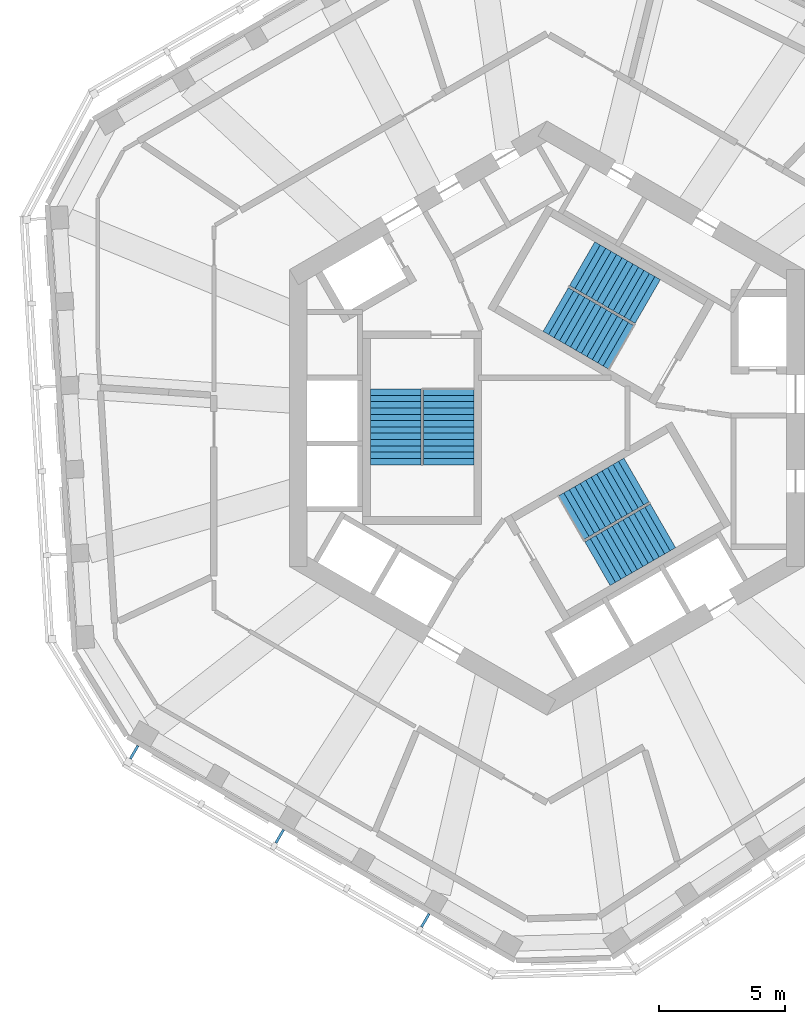
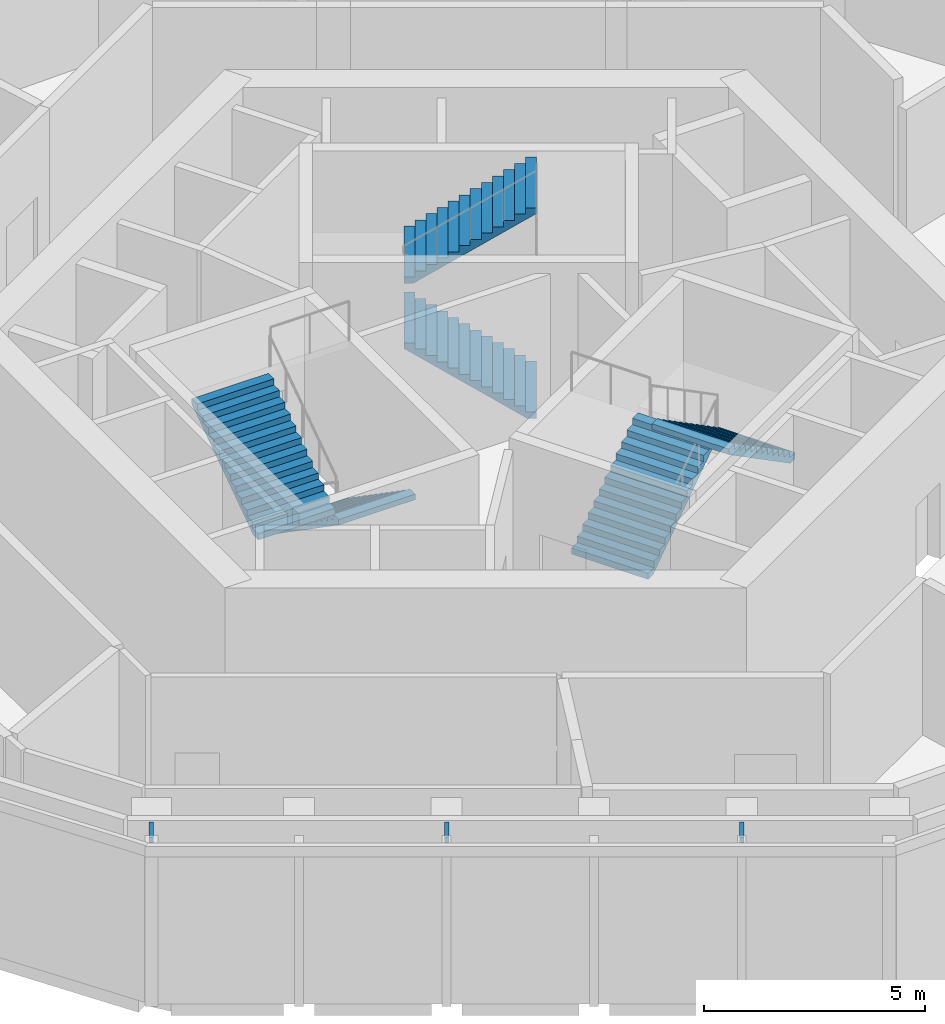
# One storey, part 7 of 9: 6 stair flights, 3 discrete accessories, 3 elements without a shape of their own.
"""IFC4 building model written with IfcOpenShell, lengths in metres."""

from ifc_helpers import new_model, si_unit, direction, frame, origin, origin_2d, place, context, subcontext, project, spatial, rectangle, extrude, triangles, source, transform, mapped, material, type_object, element, aggregate, save


model = new_model("IFC4")

# Units and contexts
model_context = context("Model", 3, precision=1e-05, world=origin(), true_north=direction((0.0, 1.0)))
body_context = subcontext(model_context, "Body", "Model", "MODEL_VIEW")
ifc_project = project(units=[si_unit("LENGTHUNIT", "METRE"), si_unit("AREAUNIT", "SQUARE_METRE"), si_unit("VOLUMEUNIT", "CUBIC_METRE"), si_unit("PLANEANGLEUNIT", "RADIAN"), si_unit("MASSUNIT", "GRAM", prefix="KILO")], contexts=[model_context])

# Site, building, storey
site_placement = place(None, origin())
site = spatial("IfcSite", under=ifc_project, at=site_placement, CompositionType="ELEMENT")
building_placement = place(site_placement, origin())
building = spatial("IfcBuilding", under=site, at=building_placement, Name="Vanh Sen Convention Tower", CompositionType="ELEMENT")
storey_placement = place(building_placement, frame((0.0, 0.0, 300.5)))
storey = spatial("IfcBuildingStorey", under=building, at=storey_placement, Name="L74", CompositionType="ELEMENT", Elevation=300.5)

# Stair, stair flights
ifc_material_1 = material(Name="Concrete C50/60", Category="concrete")
stair_type_1 = type_object("IfcStairType", Name="Exit stair ST1 26 risers at 173.1", PredefinedType="HALF_TURN_STAIR", material=ifc_material_1)
stair_1_placement = place(storey_placement, origin())
stair_1 = element("IfcStair", 1, at=stair_1_placement, inside=storey, type_object=stair_type_1, Name="Exit stair ST1 L74", PredefinedType="HALF_TURN_STAIR")
ifc_material_2 = material(Name="Concrete C40/50", Category="concrete")
stair_flight_type = type_object("IfcStairFlightType", Name="Stair flight 2000", PredefinedType="STRAIGHT", material=ifc_material_2)
shared_shape = source(origin(), body_context, "Body", "Tessellation", [
    triangles([(0.219482421875, 1.0, 0.0), (0.0, 1.0, 0.0), (0.0, 1.0, 0.173095703125), (0.25, 1.0, 0.173095703125), (0.25, 1.0, 0.34619140625), (0.5, 1.0, 0.34619140625), (0.5, 1.0, 0.519287109375), (0.75, 1.0, 0.519287109375), (0.75, 1.0, 0.6923828125), (1.0, 1.0, 0.6923828125), (1.0, 1.0, 0.865478515625), (1.25, 1.0, 0.865478515625), (1.25, 1.0, 1.03857421875), (1.5, 1.0, 1.03857421875), (1.5, 1.0, 1.21142578125), (1.75, 1.0, 1.21142578125), (1.75, 1.0, 1.384521484375), (2.0, 1.0, 1.384521484375), (2.0, 1.0, 1.5576171875), (2.25, 1.0, 1.5576171875), (2.25, 1.0, 1.730712890625), (2.5, 1.0, 1.730712890625), (2.5, 1.0, 1.90380859375), (2.75, 1.0, 1.90380859375), (2.75, 1.0, 2.076904296875), (3.0, 1.0, 2.076904296875), (3.0, 1.0, 1.9248046875), (0.219482421875, -1.0, 0.0), (0.0, -1.0, 0.0), (0.0, -1.0, 0.173095703125), (0.25, -1.0, 0.173095703125), (0.25, -1.0, 0.34619140625), (0.5, -1.0, 0.34619140625), (0.5, -1.0, 0.519287109375), (0.75, -1.0, 0.519287109375), (0.75, -1.0, 0.6923828125), (1.0, -1.0, 0.6923828125), (1.0, -1.0, 0.865478515625), (1.25, -1.0, 0.865478515625), (1.25, -1.0, 1.03857421875), (1.5, -1.0, 1.03857421875), (1.5, -1.0, 1.21142578125), (1.75, -1.0, 1.21142578125), (1.75, -1.0, 1.384521484375), (2.0, -1.0, 1.384521484375), (2.0, -1.0, 1.5576171875), (2.25, -1.0, 1.5576171875), (2.25, -1.0, 1.730712890625), (2.5, -1.0, 1.730712890625), (2.5, -1.0, 1.90380859375), (2.75, -1.0, 1.90380859375), (2.75, -1.0, 2.076904296875), (3.0, -1.0, 2.076904296875), (3.0, -1.0, 1.9248046875), (0.0, 0.0400390625, 0.0), (0.0, 0.0390625, 0.0), (0.0, 0.0380859375, 0.0), (0.0, 0.037109375, 0.0), (0.0, 0.035888671875, 0.0), (0.0, 0.034912109375, 0.0), (0.0, 0.033935546875, 0.0), (0.0, 0.032958984375, 0.0), (0.0, 0.031982421875, 0.0), (0.0, 0.031005859375, 0.0), (0.0, 0.030029296875, 0.0), (0.0, 0.029052734375, 0.0), (0.0, 0.028076171875, 0.0), (0.0, 0.027099609375, 0.0), (0.0, 0.02587890625, 0.0), (0.0, 0.02490234375, 0.0), (0.0, 0.02392578125, 0.0), (0.0, 0.02294921875, 0.0), (0.0, 0.02197265625, 0.0), (0.0, 0.02099609375, 0.0), (0.0, 0.02001953125, 0.0), (0.0, 0.01904296875, 0.0), (0.0, 0.01806640625, 0.0), (0.0, 0.01708984375, 0.0), (0.0, 0.01611328125, 0.0), (0.0, 0.014892578125, 0.0), (0.0, 0.013916015625, 0.0), (0.0, 0.012939453125, 0.0), (0.0, 0.011962890625, 0.0), (0.0, 0.010986328125, 0.0), (0.0, 0.010009765625, 0.0), (0.0, 0.009033203125, 0.0), (0.0, 0.008056640625, 0.0), (0.0, 0.007080078125, 0.0), (0.0, 0.006103515625, 0.0), (0.0, 0.0048828125, 0.0), (0.0, 0.00390625, 0.0), (0.0, 0.0029296875, 0.0), (0.0, 0.001953125, 0.0), (0.0, 0.0009765625, 0.0), (0.0, 0.0, 0.0), (0.0, -0.0009765625, 0.0), (0.0, -0.001953125, 0.0), (0.0, -0.0029296875, 0.0), (0.0, -0.00390625, 0.0), (0.0, -0.0048828125, 0.0), (0.0, -0.006103515625, 0.0), (0.0, -0.007080078125, 0.0), (0.0, -0.008056640625, 0.0), (0.0, -0.009033203125, 0.0), (0.0, -0.010009765625, 0.0), (0.0, -0.010986328125, 0.0), (0.0, -0.011962890625, 0.0), (0.0, -0.012939453125, 0.0), (0.0, -0.013916015625, 0.0), (0.0, -0.014892578125, 0.0), (0.0, -0.01611328125, 0.0), (0.0, -0.01708984375, 0.0), (0.0, -0.01806640625, 0.0), (0.0, -0.01904296875, 0.0), (0.0, -0.02001953125, 0.0), (0.0, -0.02099609375, 0.0), (0.0, -0.02197265625, 0.0), (0.0, -0.02294921875, 0.0), (0.0, -0.02392578125, 0.0), (0.0, -0.02490234375, 0.0), (0.0, -0.02587890625, 0.0), (0.0, -0.027099609375, 0.0), (0.0, -0.028076171875, 0.0), (0.0, -0.029052734375, 0.0), (0.0, -0.030029296875, 0.0), (0.0, -0.031005859375, 0.0), (0.0, -0.031982421875, 0.0), (0.0, -0.032958984375, 0.0), (0.0, -0.033935546875, 0.0), (0.0, -0.034912109375, 0.0), (0.0, -0.035888671875, 0.0), (0.0, -0.037109375, 0.0), (0.0, -0.0380859375, 0.0), (0.0, -0.0390625, 0.0), (0.0, -0.0400390625, 0.0), (0.0, 0.0400390625, 0.173095703125), (0.0, 0.0390625, 0.173095703125), (0.0, 0.0380859375, 0.173095703125), (0.0, 0.037109375, 0.173095703125), (0.0, 0.035888671875, 0.173095703125), (0.0, 0.034912109375, 0.173095703125), (0.0, 0.033935546875, 0.173095703125), (0.0, 0.032958984375, 0.173095703125), (0.0, 0.031982421875, 0.173095703125), (0.0, 0.031005859375, 0.173095703125), (0.0, 0.030029296875, 0.173095703125), (0.0, 0.029052734375, 0.173095703125), (0.0, 0.028076171875, 0.173095703125), (0.0, 0.027099609375, 0.173095703125), (0.0, 0.02587890625, 0.173095703125), (0.0, 0.02490234375, 0.173095703125), (0.0, 0.02392578125, 0.173095703125), (0.0, 0.02294921875, 0.173095703125), (0.0, 0.02197265625, 0.173095703125), (0.0, 0.02099609375, 0.173095703125), (0.0, 0.02001953125, 0.173095703125), (0.0, 0.01904296875, 0.173095703125), (0.0, 0.01806640625, 0.173095703125), (0.0, 0.01708984375, 0.173095703125), (0.0, 0.01611328125, 0.173095703125), (0.0, 0.014892578125, 0.173095703125), (0.0, 0.013916015625, 0.173095703125), (0.0, 0.012939453125, 0.173095703125), (0.0, 0.011962890625, 0.173095703125), (0.0, 0.010986328125, 0.173095703125), (0.0, 0.010009765625, 0.173095703125), (0.0, 0.009033203125, 0.173095703125), (0.0, 0.008056640625, 0.173095703125), (0.0, 0.007080078125, 0.173095703125), (0.0, 0.006103515625, 0.173095703125), (0.0, 0.0048828125, 0.173095703125), (0.0, 0.00390625, 0.173095703125), (0.0, 0.0029296875, 0.173095703125), (0.0, 0.001953125, 0.173095703125), (0.0, 0.0009765625, 0.173095703125), (0.0, 0.0, 0.173095703125), (0.0, -0.0009765625, 0.173095703125), (0.0, -0.001953125, 0.173095703125), (0.0, -0.0029296875, 0.173095703125), (0.0, -0.00390625, 0.173095703125), (0.0, -0.0048828125, 0.173095703125), (0.0, -0.006103515625, 0.173095703125), (0.0, -0.007080078125, 0.173095703125), (0.0, -0.008056640625, 0.173095703125), (0.0, -0.009033203125, 0.173095703125), (0.0, -0.010009765625, 0.173095703125), (0.0, -0.010986328125, 0.173095703125), (0.0, -0.011962890625, 0.173095703125), (0.0, -0.012939453125, 0.173095703125), (0.0, -0.013916015625, 0.173095703125), (0.0, -0.014892578125, 0.173095703125), (0.0, -0.01611328125, 0.173095703125), (0.0, -0.01708984375, 0.173095703125), (0.0, -0.01806640625, 0.173095703125), (0.0, -0.01904296875, 0.173095703125), (0.0, -0.02001953125, 0.173095703125), (0.0, -0.02099609375, 0.173095703125), (0.0, -0.02197265625, 0.173095703125), (0.0, -0.02294921875, 0.173095703125), (0.0, -0.02392578125, 0.173095703125), (0.0, -0.02490234375, 0.173095703125), (0.0, -0.02587890625, 0.173095703125), (0.0, -0.027099609375, 0.173095703125), (0.0, -0.028076171875, 0.173095703125), (0.0, -0.029052734375, 0.173095703125), (0.0, -0.030029296875, 0.173095703125), (0.0, -0.031005859375, 0.173095703125), (0.0, -0.031982421875, 0.173095703125), (0.0, -0.032958984375, 0.173095703125), (0.0, -0.033935546875, 0.173095703125), (0.0, -0.034912109375, 0.173095703125), (0.0, -0.035888671875, 0.173095703125), (0.0, -0.037109375, 0.173095703125), (0.0, -0.0380859375, 0.173095703125), (0.0, -0.0390625, 0.173095703125), (0.0, -0.0400390625, 0.173095703125), (0.25, 0.0, 0.173095703125), (0.25, 0.0, 0.34619140625), (0.5, 0.0, 0.34619140625), (0.5, 0.0, 0.519287109375), (0.75, 0.0, 0.519287109375), (0.75, 0.0, 0.6923828125), (1.0, 0.0, 0.6923828125), (1.0, 0.0, 0.865478515625), (1.25, 0.0, 0.865478515625), (1.25, 0.0, 1.03857421875), (1.5, 0.0, 1.03857421875), (1.5, 0.0, 1.21142578125), (1.75, 0.0, 1.21142578125), (1.75, 0.0, 1.384521484375), (2.0, 0.0, 1.384521484375), (2.0, 0.0, 1.5576171875), (2.25, 0.0, 1.5576171875), (2.25, 0.0, 1.730712890625), (2.5, 0.0, 1.730712890625), (2.5, 0.0, 1.90380859375), (2.75, 0.0, 1.90380859375), (2.75, 0.0, 2.076904296875), (3.0, 0.0400390625, 2.076904296875), (3.0, 0.0390625, 2.076904296875), (3.0, 0.0380859375, 2.076904296875), (3.0, 0.037109375, 2.076904296875), (3.0, 0.035888671875, 2.076904296875), (3.0, 0.034912109375, 2.076904296875), (3.0, 0.033935546875, 2.076904296875), (3.0, 0.032958984375, 2.076904296875), (3.0, 0.031982421875, 2.076904296875), (3.0, 0.031005859375, 2.076904296875), (3.0, 0.030029296875, 2.076904296875), (3.0, 0.029052734375, 2.076904296875), (3.0, 0.028076171875, 2.076904296875), (3.0, 0.027099609375, 2.076904296875), (3.0, 0.02587890625, 2.076904296875), (3.0, 0.02490234375, 2.076904296875), (3.0, 0.02392578125, 2.076904296875), (3.0, 0.02294921875, 2.076904296875), (3.0, 0.02197265625, 2.076904296875), (3.0, 0.02099609375, 2.076904296875), (3.0, 0.02001953125, 2.076904296875), (3.0, 0.01904296875, 2.076904296875), (3.0, 0.01806640625, 2.076904296875), (3.0, 0.01708984375, 2.076904296875), (3.0, 0.01611328125, 2.076904296875), (3.0, 0.014892578125, 2.076904296875), (3.0, 0.013916015625, 2.076904296875), (3.0, 0.012939453125, 2.076904296875), (3.0, 0.011962890625, 2.076904296875), (3.0, 0.010986328125, 2.076904296875), (3.0, 0.010009765625, 2.076904296875), (3.0, 0.009033203125, 2.076904296875), (3.0, 0.008056640625, 2.076904296875), (3.0, 0.007080078125, 2.076904296875), (3.0, 0.006103515625, 2.076904296875), (3.0, 0.0048828125, 2.076904296875), (3.0, 0.00390625, 2.076904296875), (3.0, 0.0029296875, 2.076904296875), (3.0, 0.001953125, 2.076904296875), (3.0, 0.0009765625, 2.076904296875), (3.0, 0.0, 2.076904296875), (3.0, -0.0009765625, 2.076904296875), (3.0, -0.001953125, 2.076904296875), (3.0, -0.0029296875, 2.076904296875), (3.0, -0.00390625, 2.076904296875), (3.0, -0.0048828125, 2.076904296875), (3.0, -0.006103515625, 2.076904296875), (3.0, -0.007080078125, 2.076904296875), (3.0, -0.008056640625, 2.076904296875), (3.0, -0.009033203125, 2.076904296875), (3.0, -0.010009765625, 2.076904296875), (3.0, -0.010986328125, 2.076904296875), (3.0, -0.011962890625, 2.076904296875), (3.0, -0.012939453125, 2.076904296875), (3.0, -0.013916015625, 2.076904296875), (3.0, -0.014892578125, 2.076904296875), (3.0, -0.01611328125, 2.076904296875), (3.0, -0.01708984375, 2.076904296875), (3.0, -0.01806640625, 2.076904296875), (3.0, -0.01904296875, 2.076904296875), (3.0, -0.02001953125, 2.076904296875), (3.0, -0.02099609375, 2.076904296875), (3.0, -0.02197265625, 2.076904296875), (3.0, -0.02294921875, 2.076904296875), (3.0, -0.02392578125, 2.076904296875), (3.0, -0.02490234375, 2.076904296875), (3.0, -0.02587890625, 2.076904296875), (3.0, -0.027099609375, 2.076904296875), (3.0, -0.028076171875, 2.076904296875), (3.0, -0.029052734375, 2.076904296875), (3.0, -0.030029296875, 2.076904296875), (3.0, -0.031005859375, 2.076904296875), (3.0, -0.031982421875, 2.076904296875), (3.0, -0.032958984375, 2.076904296875), (3.0, -0.033935546875, 2.076904296875), (3.0, -0.034912109375, 2.076904296875), (3.0, -0.035888671875, 2.076904296875), (3.0, -0.037109375, 2.076904296875), (3.0, -0.0380859375, 2.076904296875), (3.0, -0.0390625, 2.076904296875), (3.0, -0.0400390625, 2.076904296875), (3.0, 0.0400390625, 1.9248046875), (3.0, 0.0390625, 1.9248046875), (3.0, 0.0380859375, 1.9248046875), (3.0, 0.037109375, 1.9248046875), (3.0, 0.035888671875, 1.9248046875), (3.0, 0.034912109375, 1.9248046875), (3.0, 0.033935546875, 1.9248046875), (3.0, 0.032958984375, 1.9248046875), (3.0, 0.031982421875, 1.9248046875), (3.0, 0.031005859375, 1.9248046875), (3.0, 0.030029296875, 1.9248046875), (3.0, 0.029052734375, 1.9248046875), (3.0, 0.028076171875, 1.9248046875), (3.0, 0.027099609375, 1.9248046875), (3.0, 0.02587890625, 1.9248046875), (3.0, 0.02490234375, 1.9248046875), (3.0, 0.02392578125, 1.9248046875), (3.0, 0.02294921875, 1.9248046875), (3.0, 0.02197265625, 1.9248046875), (3.0, 0.02099609375, 1.9248046875), (3.0, 0.02001953125, 1.9248046875), (3.0, 0.01904296875, 1.9248046875), (3.0, 0.01806640625, 1.9248046875), (3.0, 0.01708984375, 1.9248046875), (3.0, 0.01611328125, 1.9248046875), (3.0, 0.014892578125, 1.9248046875), (3.0, 0.013916015625, 1.9248046875), (3.0, 0.012939453125, 1.9248046875), (3.0, 0.011962890625, 1.9248046875), (3.0, 0.010986328125, 1.9248046875), (3.0, 0.010009765625, 1.9248046875), (3.0, 0.009033203125, 1.9248046875), (3.0, 0.008056640625, 1.9248046875), (3.0, 0.007080078125, 1.9248046875), (3.0, 0.006103515625, 1.9248046875), (3.0, 0.0048828125, 1.9248046875), (3.0, 0.00390625, 1.9248046875), (3.0, 0.0029296875, 1.9248046875), (3.0, 0.001953125, 1.9248046875), (3.0, 0.0009765625, 1.9248046875), (3.0, 0.0, 1.9248046875), (3.0, -0.0009765625, 1.9248046875), (3.0, -0.001953125, 1.9248046875), (3.0, -0.0029296875, 1.9248046875), (3.0, -0.00390625, 1.9248046875), (3.0, -0.0048828125, 1.9248046875), (3.0, -0.006103515625, 1.9248046875), (3.0, -0.007080078125, 1.9248046875), (3.0, -0.008056640625, 1.9248046875), (3.0, -0.009033203125, 1.9248046875), (3.0, -0.010009765625, 1.9248046875), (3.0, -0.010986328125, 1.9248046875), (3.0, -0.011962890625, 1.9248046875), (3.0, -0.012939453125, 1.9248046875), (3.0, -0.013916015625, 1.9248046875), (3.0, -0.014892578125, 1.9248046875), (3.0, -0.01611328125, 1.9248046875), (3.0, -0.01708984375, 1.9248046875), (3.0, -0.01806640625, 1.9248046875), (3.0, -0.01904296875, 1.9248046875), (3.0, -0.02001953125, 1.9248046875), (3.0, -0.02099609375, 1.9248046875), (3.0, -0.02197265625, 1.9248046875), (3.0, -0.02294921875, 1.9248046875), (3.0, -0.02392578125, 1.9248046875), (3.0, -0.02490234375, 1.9248046875), (3.0, -0.02587890625, 1.9248046875), (3.0, -0.027099609375, 1.9248046875), (3.0, -0.028076171875, 1.9248046875), (3.0, -0.029052734375, 1.9248046875), (3.0, -0.030029296875, 1.9248046875), (3.0, -0.031005859375, 1.9248046875), (3.0, -0.031982421875, 1.9248046875), (3.0, -0.032958984375, 1.9248046875), (3.0, -0.033935546875, 1.9248046875), (3.0, -0.034912109375, 1.9248046875), (3.0, -0.035888671875, 1.9248046875), (3.0, -0.037109375, 1.9248046875), (3.0, -0.0380859375, 1.9248046875), (3.0, -0.0390625, 1.9248046875), (3.0, -0.0400390625, 1.9248046875), (0.219482421875, 0.0, 0.0)], [[1, 2, 3], [1, 3, 4], [4, 5, 6], [1, 4, 6], [6, 7, 8], [1, 6, 8], [8, 9, 10], [1, 8, 10], [10, 11, 12], [1, 10, 12], [12, 13, 14], [1, 12, 14], [14, 15, 16], [1, 14, 16], [16, 17, 18], [1, 16, 18], [18, 19, 20], [1, 18, 20], [20, 21, 22], [1, 20, 22], [22, 23, 24], [1, 22, 24], [24, 25, 26], [1, 24, 26], [26, 27, 1], [28, 30, 29], [28, 31, 30], [31, 33, 32], [28, 33, 31], [33, 35, 34], [28, 35, 33], [35, 37, 36], [28, 37, 35], [37, 39, 38], [28, 39, 37], [39, 41, 40], [28, 41, 39], [41, 43, 42], [28, 43, 41], [43, 45, 44], [28, 45, 43], [45, 47, 46], [28, 47, 45], [47, 49, 48], [28, 49, 47], [49, 51, 50], [28, 51, 49], [51, 53, 52], [28, 53, 51], [53, 28, 54], [2, 136, 3], [2, 55, 136], [55, 137, 136], [55, 56, 137], [56, 138, 137], [56, 57, 138], [57, 139, 138], [57, 58, 139], [58, 140, 139], [58, 59, 140], [59, 141, 140], [59, 60, 141], [60, 142, 141], [60, 61, 142], [61, 143, 142], [61, 62, 143], [62, 144, 143], [62, 63, 144], [63, 145, 144], [63, 64, 145], [64, 146, 145], [64, 65, 146], [65, 147, 146], [65, 66, 147], [66, 148, 147], [66, 67, 148], [67, 149, 148], [67, 68, 149], [68, 150, 149], [68, 69, 150], [69, 151, 150], [69, 70, 151], [70, 152, 151], [70, 71, 152], [71, 153, 152], [71, 72, 153], [72, 154, 153], [72, 73, 154], [73, 155, 154], [73, 74, 155], [74, 156, 155], [74, 75, 156], [75, 157, 156], [75, 76, 157], [76, 158, 157], [76, 77, 158], [77, 159, 158], [77, 78, 159], [78, 160, 159], [78, 79, 160], [79, 161, 160], [79, 80, 161], [80, 162, 161], [80, 81, 162], [81, 163, 162], [81, 82, 163], [82, 164, 163], [82, 83, 164], [83, 165, 164], [83, 84, 165], [84, 166, 165], [84, 85, 166], [85, 167, 166], [85, 86, 167], [86, 168, 167], [86, 87, 168], [87, 169, 168], [87, 88, 169], [88, 170, 169], [88, 89, 170], [89, 171, 170], [89, 90, 171], [90, 172, 171], [90, 91, 172], [91, 173, 172], [91, 92, 173], [92, 174, 173], [92, 93, 174], [93, 175, 174], [93, 94, 175], [94, 176, 175], [94, 95, 176], [95, 96, 176], [176, 96, 177], [96, 97, 177], [177, 97, 178], [97, 98, 178], [178, 98, 179], [98, 99, 179], [179, 99, 180], [99, 100, 180], [180, 100, 181], [100, 101, 181], [181, 101, 182], [101, 102, 182], [182, 102, 183], [102, 103, 183], [183, 103, 184], [103, 104, 184], [184, 104, 185], [104, 105, 185], [185, 105, 186], [105, 106, 186], [186, 106, 187], [106, 107, 187], [187, 107, 188], [107, 108, 188], [188, 108, 189], [108, 109, 189], [189, 109, 190], [109, 110, 190], [190, 110, 191], [110, 111, 191], [191, 111, 192], [111, 112, 192], [192, 112, 193], [112, 113, 193], [193, 113, 194], [113, 114, 194], [194, 114, 195], [114, 115, 195], [195, 115, 196], [115, 116, 196], [196, 116, 197], [116, 117, 197], [197, 117, 198], [117, 118, 198], [198, 118, 199], [118, 119, 199], [199, 119, 200], [119, 120, 200], [200, 120, 201], [120, 121, 201], [201, 121, 202], [121, 122, 202], [202, 122, 203], [122, 123, 203], [203, 123, 204], [123, 124, 204], [204, 124, 205], [124, 125, 205], [205, 125, 206], [125, 126, 206], [206, 126, 207], [126, 127, 207], [207, 127, 208], [127, 128, 208], [208, 128, 209], [128, 129, 209], [209, 129, 210], [129, 130, 210], [210, 130, 211], [130, 131, 211], [211, 131, 212], [131, 132, 212], [212, 132, 213], [132, 133, 213], [213, 133, 214], [133, 134, 214], [214, 134, 215], [134, 135, 215], [215, 135, 216], [135, 29, 216], [216, 29, 30], [4, 3, 136], [4, 136, 137], [4, 137, 138], [4, 138, 139], [4, 139, 140], [4, 140, 141], [4, 141, 142], [4, 142, 143], [4, 143, 144], [4, 144, 145], [4, 145, 146], [4, 146, 147], [4, 147, 148], [4, 148, 149], [4, 149, 150], [4, 150, 151], [4, 151, 152], [4, 152, 153], [4, 153, 154], [4, 154, 155], [4, 155, 156], [4, 156, 157], [4, 157, 158], [4, 158, 159], [4, 159, 160], [4, 160, 161], [4, 161, 162], [4, 162, 163], [4, 163, 164], [4, 164, 165], [4, 165, 166], [4, 166, 167], [4, 167, 168], [4, 168, 169], [4, 169, 170], [4, 170, 171], [4, 171, 172], [4, 172, 173], [4, 173, 174], [4, 174, 175], [4, 175, 176], [31, 176, 177], [31, 177, 178], [31, 178, 179], [31, 179, 180], [31, 180, 181], [31, 181, 182], [31, 182, 183], [31, 183, 184], [31, 184, 185], [31, 185, 186], [31, 186, 187], [31, 187, 188], [31, 188, 189], [31, 189, 190], [31, 190, 191], [31, 191, 192], [31, 192, 193], [31, 193, 194], [31, 194, 195], [31, 195, 196], [31, 196, 197], [31, 197, 198], [31, 198, 199], [31, 199, 200], [31, 200, 201], [31, 201, 202], [31, 202, 203], [31, 203, 204], [31, 204, 205], [31, 205, 206], [31, 206, 207], [31, 207, 208], [31, 208, 209], [31, 209, 210], [31, 210, 211], [31, 211, 212], [31, 212, 213], [31, 213, 214], [31, 214, 215], [31, 215, 216], [31, 216, 30], [4, 176, 217], [31, 217, 176], [4, 218, 5], [4, 217, 218], [217, 31, 218], [218, 31, 32], [5, 219, 6], [5, 218, 219], [218, 32, 219], [219, 32, 33], [6, 220, 7], [6, 219, 220], [219, 33, 220], [220, 33, 34], [7, 221, 8], [7, 220, 221], [220, 34, 221], [221, 34, 35], [8, 222, 9], [8, 221, 222], [221, 35, 222], [222, 35, 36], [9, 223, 10], [9, 222, 223], [222, 36, 223], [223, 36, 37], [10, 224, 11], [10, 223, 224], [223, 37, 224], [224, 37, 38], [11, 225, 12], [11, 224, 225], [224, 38, 225], [225, 38, 39], [12, 226, 13], [12, 225, 226], [225, 39, 226], [226, 39, 40], [13, 227, 14], [13, 226, 227], [226, 40, 227], [227, 40, 41], [14, 228, 15], [14, 227, 228], [227, 41, 228], [228, 41, 42], [15, 229, 16], [15, 228, 229], [228, 42, 229], [229, 42, 43], [16, 230, 17], [16, 229, 230], [229, 43, 230], [230, 43, 44], [17, 231, 18], [17, 230, 231], [230, 44, 231], [231, 44, 45], [18, 232, 19], [18, 231, 232], [231, 45, 232], [232, 45, 46], [19, 233, 20], [19, 232, 233], [232, 46, 233], [233, 46, 47], [20, 234, 21], [20, 233, 234], [233, 47, 234], [234, 47, 48], [21, 235, 22], [21, 234, 235], [234, 48, 235], [235, 48, 49], [22, 236, 23], [22, 235, 236], [235, 49, 236], [236, 49, 50], [23, 237, 24], [23, 236, 237], [236, 50, 237], [237, 50, 51], [24, 238, 25], [24, 237, 238], [237, 51, 238], [238, 51, 52], [25, 239, 26], [25, 240, 239], [25, 241, 240], [25, 242, 241], [25, 243, 242], [25, 244, 243], [25, 245, 244], [25, 246, 245], [25, 247, 246], [25, 248, 247], [25, 249, 248], [25, 250, 249], [25, 251, 250], [25, 252, 251], [25, 253, 252], [25, 254, 253], [25, 255, 254], [25, 256, 255], [25, 257, 256], [25, 258, 257], [25, 259, 258], [25, 260, 259], [25, 261, 260], [25, 262, 261], [25, 263, 262], [25, 264, 263], [25, 265, 264], [25, 266, 265], [25, 267, 266], [25, 268, 267], [25, 269, 268], [25, 270, 269], [25, 271, 270], [25, 272, 271], [25, 273, 272], [25, 274, 273], [25, 275, 274], [25, 276, 275], [25, 277, 276], [25, 278, 277], [25, 279, 278], [52, 280, 279], [52, 281, 280], [52, 282, 281], [52, 283, 282], [52, 284, 283], [52, 285, 284], [52, 286, 285], [52, 287, 286], [52, 288, 287], [52, 289, 288], [52, 290, 289], [52, 291, 290], [52, 292, 291], [52, 293, 292], [52, 294, 293], [52, 295, 294], [52, 296, 295], [52, 297, 296], [52, 298, 297], [52, 299, 298], [52, 300, 299], [52, 301, 300], [52, 302, 301], [52, 303, 302], [52, 304, 303], [52, 305, 304], [52, 306, 305], [52, 307, 306], [52, 308, 307], [52, 309, 308], [52, 310, 309], [52, 311, 310], [52, 312, 311], [52, 313, 312], [52, 314, 313], [52, 315, 314], [52, 316, 315], [52, 317, 316], [52, 318, 317], [52, 319, 318], [52, 53, 319], [25, 238, 279], [52, 279, 238], [26, 320, 27], [26, 239, 320], [239, 321, 320], [239, 240, 321], [240, 322, 321], [240, 241, 322], [241, 323, 322], [241, 242, 323], [242, 324, 323], [242, 243, 324], [243, 325, 324], [243, 244, 325], [244, 326, 325], [244, 245, 326], [245, 327, 326], [245, 246, 327], [246, 328, 327], [246, 247, 328], [247, 329, 328], [247, 248, 329], [248, 330, 329], [248, 249, 330], [249, 331, 330], [249, 250, 331], [250, 332, 331], [250, 251, 332], [251, 333, 332], [251, 252, 333], [252, 334, 333], [252, 253, 334], [253, 335, 334], [253, 254, 335], [254, 336, 335], [254, 255, 336], [255, 337, 336], [255, 256, 337], [256, 338, 337], [256, 257, 338], [257, 339, 338], [257, 258, 339], [258, 340, 339], [258, 259, 340], [259, 341, 340], [259, 260, 341], [260, 342, 341], [260, 261, 342], [261, 343, 342], [261, 262, 343], [262, 344, 343], [262, 263, 344], [263, 345, 344], [263, 264, 345], [264, 346, 345], [264, 265, 346], [265, 347, 346], [265, 266, 347], [266, 348, 347], [266, 267, 348], [267, 349, 348], [267, 268, 349], [268, 350, 349], [268, 269, 350], [269, 351, 350], [269, 270, 351], [270, 352, 351], [270, 271, 352], [271, 353, 352], [271, 272, 353], [272, 354, 353], [272, 273, 354], [273, 355, 354], [273, 274, 355], [274, 356, 355], [274, 275, 356], [275, 357, 356], [275, 276, 357], [276, 358, 357], [276, 277, 358], [277, 359, 358], [277, 278, 359], [278, 360, 359], [278, 279, 360], [279, 280, 360], [360, 280, 361], [280, 281, 361], [361, 281, 362], [281, 282, 362], [362, 282, 363], [282, 283, 363], [363, 283, 364], [283, 284, 364], [364, 284, 365], [284, 285, 365], [365, 285, 366], [285, 286, 366], [366, 286, 367], [286, 287, 367], [367, 287, 368], [287, 288, 368], [368, 288, 369], [288, 289, 369], [369, 289, 370], [289, 290, 370], [370, 290, 371], [290, 291, 371], [371, 291, 372], [291, 292, 372], [372, 292, 373], [292, 293, 373], [373, 293, 374], [293, 294, 374], [374, 294, 375], [294, 295, 375], [375, 295, 376], [295, 296, 376], [376, 296, 377], [296, 297, 377], [377, 297, 378], [297, 298, 378], [378, 298, 379], [298, 299, 379], [379, 299, 380], [299, 300, 380], [380, 300, 381], [300, 301, 381], [381, 301, 382], [301, 302, 382], [382, 302, 383], [302, 303, 383], [383, 303, 384], [303, 304, 384], [384, 304, 385], [304, 305, 385], [385, 305, 386], [305, 306, 386], [386, 306, 387], [306, 307, 387], [387, 307, 388], [307, 308, 388], [388, 308, 389], [308, 309, 389], [389, 309, 390], [309, 310, 390], [390, 310, 391], [310, 311, 391], [391, 311, 392], [311, 312, 392], [392, 312, 393], [312, 313, 393], [393, 313, 394], [313, 314, 394], [394, 314, 395], [314, 315, 395], [395, 315, 396], [315, 316, 396], [396, 316, 397], [316, 317, 397], [397, 317, 398], [317, 318, 398], [398, 318, 399], [318, 319, 399], [399, 319, 400], [319, 53, 400], [400, 53, 54], [1, 27, 320], [1, 320, 321], [1, 321, 322], [1, 322, 323], [1, 323, 324], [1, 324, 325], [1, 325, 326], [1, 326, 327], [1, 327, 328], [1, 328, 329], [1, 329, 330], [1, 330, 331], [1, 331, 332], [1, 332, 333], [1, 333, 334], [1, 334, 335], [1, 335, 336], [1, 336, 337], [1, 337, 338], [1, 338, 339], [1, 339, 340], [1, 340, 341], [1, 341, 342], [1, 342, 343], [1, 343, 344], [1, 344, 345], [1, 345, 346], [1, 346, 347], [1, 347, 348], [1, 348, 349], [1, 349, 350], [1, 350, 351], [1, 351, 352], [1, 352, 353], [1, 353, 354], [1, 354, 355], [1, 355, 356], [1, 356, 357], [1, 357, 358], [1, 358, 359], [1, 359, 360], [28, 360, 361], [28, 361, 362], [28, 362, 363], [28, 363, 364], [28, 364, 365], [28, 365, 366], [28, 366, 367], [28, 367, 368], [28, 368, 369], [28, 369, 370], [28, 370, 371], [28, 371, 372], [28, 372, 373], [28, 373, 374], [28, 374, 375], [28, 375, 376], [28, 376, 377], [28, 377, 378], [28, 378, 379], [28, 379, 380], [28, 380, 381], [28, 381, 382], [28, 382, 383], [28, 383, 384], [28, 384, 385], [28, 385, 386], [28, 386, 387], [28, 387, 388], [28, 388, 389], [28, 389, 390], [28, 390, 391], [28, 391, 392], [28, 392, 393], [28, 393, 394], [28, 394, 395], [28, 395, 396], [28, 396, 397], [28, 397, 398], [28, 398, 399], [28, 399, 400], [28, 400, 54], [1, 360, 401], [28, 401, 360], [1, 55, 2], [1, 56, 55], [1, 57, 56], [1, 58, 57], [1, 59, 58], [1, 60, 59], [1, 61, 60], [1, 62, 61], [1, 63, 62], [1, 64, 63], [1, 65, 64], [1, 66, 65], [1, 67, 66], [1, 68, 67], [1, 69, 68], [1, 70, 69], [1, 71, 70], [1, 72, 71], [1, 73, 72], [1, 74, 73], [1, 75, 74], [1, 76, 75], [1, 77, 76], [1, 78, 77], [1, 79, 78], [1, 80, 79], [1, 81, 80], [1, 82, 81], [1, 83, 82], [1, 84, 83], [1, 85, 84], [1, 86, 85], [1, 87, 86], [1, 88, 87], [1, 89, 88], [1, 90, 89], [1, 91, 90], [1, 92, 91], [1, 93, 92], [1, 94, 93], [1, 95, 94], [28, 96, 95], [28, 97, 96], [28, 98, 97], [28, 99, 98], [28, 100, 99], [28, 101, 100], [28, 102, 101], [28, 103, 102], [28, 104, 103], [28, 105, 104], [28, 106, 105], [28, 107, 106], [28, 108, 107], [28, 109, 108], [28, 110, 109], [28, 111, 110], [28, 112, 111], [28, 113, 112], [28, 114, 113], [28, 115, 114], [28, 116, 115], [28, 117, 116], [28, 118, 117], [28, 119, 118], [28, 120, 119], [28, 121, 120], [28, 122, 121], [28, 123, 122], [28, 124, 123], [28, 125, 124], [28, 126, 125], [28, 127, 126], [28, 128, 127], [28, 129, 128], [28, 130, 129], [28, 131, 130], [28, 132, 131], [28, 133, 132], [28, 134, 133], [28, 135, 134], [28, 29, 135], [1, 401, 95], [28, 95, 401]], closed=True),
])
stair_flight_1_placement = place(storey_placement, frame((2.94580078125, 2.802490234375, 0.0), z_axis=(0.0, 0.0, 1.0), x_axis=(-0.866025403784, 0.5, 0.0)))
stair_flight_1 = element("IfcStairFlight", 2, at=stair_flight_1_placement, type_object=stair_flight_type, Name="ST1 flight 1", NumberOfRisers=13, NumberOfTreads=12, PredefinedType="STRAIGHT", RiserHeight=0.173076923, TreadLength=0.25, context=body_context, shape_type="MappedRepresentation", body=[
    mapped(shared_shape, transform((0.0, 0.0, 0.0))),
])
stair_flight_2_placement = place(storey_placement, frame((1.39794921875, 6.12109375, 2.25), z_axis=(0.0, 0.0, 1.0), x_axis=(0.866025403784, -0.5, 0.0)))
stair_flight_2 = element("IfcStairFlight", 3, at=stair_flight_2_placement, type_object=stair_flight_type, Name="ST1 flight 2", NumberOfRisers=13, NumberOfTreads=12, PredefinedType="STRAIGHT", RiserHeight=0.173076923, TreadLength=0.25, context=body_context, shape_type="MappedRepresentation", body=[
    mapped(shared_shape, transform((0.0, 0.0, 0.0))),
])
aggregate(stair_1, [stair_flight_1, stair_flight_2])

stair_type_2 = type_object("IfcStairType", Name="Exit stair ST2 26 risers at 173.1", PredefinedType="HALF_TURN_STAIR", material=ifc_material_1)
stair_2_placement = place(storey_placement, origin())
stair_2 = element("IfcStair", 4, at=stair_2_placement, inside=storey, type_object=stair_type_2, Name="Exit stair ST2 L74", PredefinedType="HALF_TURN_STAIR")
stair_flight_3_placement = place(storey_placement, frame((-3.89990234375, 1.14990234375, 0.0), z_axis=(0.0, 0.0, 1.0), x_axis=(0.0, -1.0, 0.0)))
stair_flight_3 = element("IfcStairFlight", 5, at=stair_flight_3_placement, type_object=stair_flight_type, Name="ST2 flight 1", NumberOfRisers=13, NumberOfTreads=12, PredefinedType="STRAIGHT", RiserHeight=0.173076923, TreadLength=0.25, context=body_context, shape_type="MappedRepresentation", body=[
    mapped(shared_shape, transform((0.0, 0.0, 0.0))),
])
stair_flight_4_placement = place(storey_placement, frame((-6.0, -1.85009765625, 2.25), z_axis=(0.0, 0.0, 1.0), x_axis=(0.0, 1.0, 0.0)))
stair_flight_4 = element("IfcStairFlight", 6, at=stair_flight_4_placement, type_object=stair_flight_type, Name="ST2 flight 2", NumberOfRisers=13, NumberOfTreads=12, PredefinedType="STRAIGHT", RiserHeight=0.173076923, TreadLength=0.25, context=body_context, shape_type="MappedRepresentation", body=[
    mapped(shared_shape, transform((0.0, 0.0, 0.0))),
])
aggregate(stair_2, [stair_flight_3, stair_flight_4])

stair_type_3 = type_object("IfcStairType", Name="Exit stair ST3 26 risers at 173.1", PredefinedType="HALF_TURN_STAIR", material=ifc_material_1)
stair_3_placement = place(storey_placement, origin())
stair_3 = element("IfcStair", 7, at=stair_3_placement, inside=storey, type_object=stair_type_3, Name="Exit stair ST3 L74", PredefinedType="HALF_TURN_STAIR")
stair_flight_5_placement = place(storey_placement, frame((0.9541015625, -3.952392578125, 0.0), z_axis=(0.0, 0.0, 1.0), x_axis=(0.866025403784, 0.5, 0.0)))
stair_flight_5 = element("IfcStairFlight", 8, at=stair_flight_5_placement, type_object=stair_flight_type, Name="ST3 flight 1", NumberOfRisers=13, NumberOfTreads=12, PredefinedType="STRAIGHT", RiserHeight=0.173076923, TreadLength=0.25, context=body_context, shape_type="MappedRepresentation", body=[
    mapped(shared_shape, transform((0.0, 0.0, 0.0))),
])
stair_flight_6_placement = place(storey_placement, frame((4.60205078125, -4.271240234375, 2.25), z_axis=(0.0, 0.0, 1.0), x_axis=(-0.866025403784, -0.5, 0.0)))
stair_flight_6 = element("IfcStairFlight", 9, at=stair_flight_6_placement, type_object=stair_flight_type, Name="ST3 flight 2", NumberOfRisers=13, NumberOfTreads=12, PredefinedType="STRAIGHT", RiserHeight=0.173076923, TreadLength=0.25, context=body_context, shape_type="MappedRepresentation", body=[
    mapped(shared_shape, transform((0.0, 0.0, 0.0))),
])
aggregate(stair_3, [stair_flight_5, stair_flight_6])

# Discrete accessories
ifc_material_3 = material(Name="Steel S355", Category="steel")
discrete_accessory_type = type_object("IfcDiscreteAccessoryType", Name="Fin bracket 100 x 150", PredefinedType="BRACKET", material=ifc_material_3)
for number, where, z_axis, x_axis, name in (
    (10, (-16.360595703125, -13.243896484375, 4.300048828125), (0.0, 0.0, 1.0), (-0.5, -0.866025403784, 0.0), "Fin bracket SW-1 L74"),
    (11, (-10.590087890625, -16.57568359375, 4.300048828125), (0.0, 0.0, 1.0), (-0.5, -0.866025403784, 0.0), "Fin bracket SW-3 L74"),
    (12, (-4.819580078125, -19.9072265625, 4.300048828125), (0.0, 0.0, 1.0), (-0.5, -0.866025403784, 0.0), "Fin bracket SW-5 L74"),
):
    element("IfcDiscreteAccessory", number, at=place(storey_placement, frame(where, z_axis=z_axis, x_axis=x_axis)), inside=storey, type_object=discrete_accessory_type, Name=name, PredefinedType="BRACKET", context=body_context, shape_type="SweptSolid", body=[
        extrude(rectangle(XDim=0.60009765625, YDim=0.10009765625, at=origin_2d()), origin(), (0.0, 0.0, 1.0), 0.14990234375),
    ])

save(model, "model.ifc")
